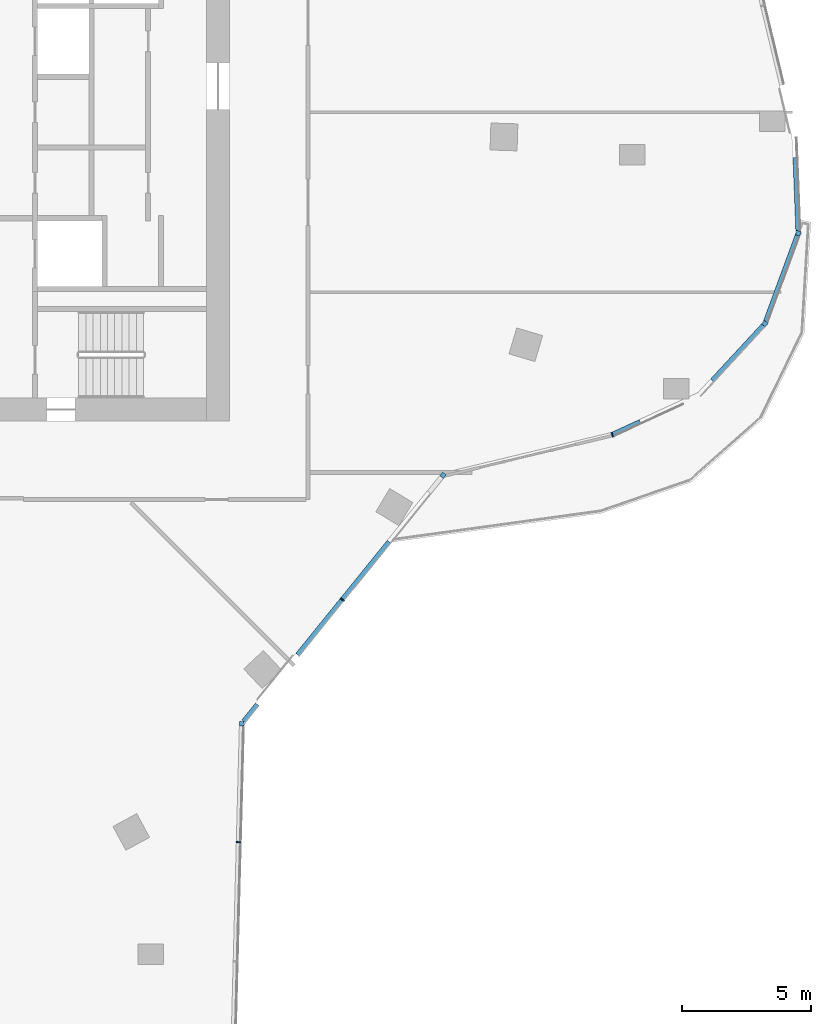
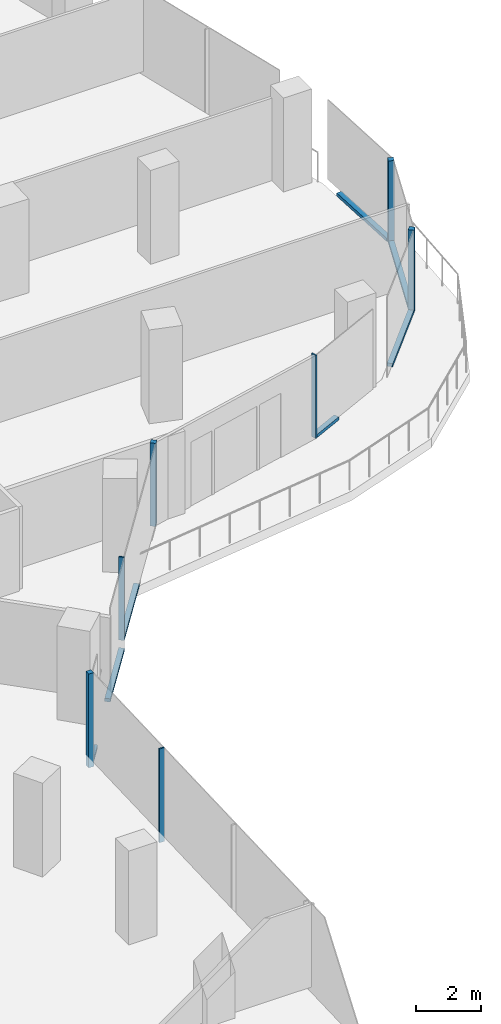
# One storey, part 6 of 24: 14 members, 7 elements without a shape of their own.
"""IFC4 building model written with IfcOpenShell, lengths in metres."""

from ifc_helpers import new_model, si_unit, direction, frame, origin, origin_2d, place, context, subcontext, project, spatial, rectangle, extrude, material, material_profile, profile_set, type_object, element, aggregate, save


model = new_model("IFC4")

# Units and contexts
model_context = context("Model", 3, precision=1e-05, world=origin(), true_north=direction((0.0, 1.0)))
body_context = subcontext(model_context, "Body", "Model", "MODEL_VIEW")
ifc_project = project(units=[si_unit("LENGTHUNIT", "METRE"), si_unit("AREAUNIT", "SQUARE_METRE"), si_unit("VOLUMEUNIT", "CUBIC_METRE"), si_unit("PLANEANGLEUNIT", "RADIAN"), si_unit("MASSUNIT", "GRAM", prefix="KILO")], contexts=[model_context])

# Site, building, storey
site_placement = place(None, origin())
site = spatial("IfcSite", under=ifc_project, at=site_placement, CompositionType="ELEMENT")
building_placement = place(site_placement, origin())
building = spatial("IfcBuilding", under=site, at=building_placement, Name="Orlundy Tower", CompositionType="ELEMENT")
storey_placement = place(building_placement, frame((0.0, 0.0, 210.5)))
storey = spatial("IfcBuildingStorey", under=building, at=storey_placement, Name="L55", CompositionType="ELEMENT", Elevation=210.5)

# Curtain wall, member
ifc_material_1 = material(Name="Aluminium bronze anodised", Category="aluminium")
curtain_wall_type = type_object("IfcCurtainWallType", Name="CW1 wall", PredefinedType="NOTDEFINED", material=ifc_material_1)
curtain_wall_1_placement = place(storey_placement, origin())
curtain_wall_1 = element("IfcCurtainWall", 1, at=curtain_wall_1_placement, inside=storey, type_object=curtain_wall_type, Name="CW1 run 013", PredefinedType="NOTDEFINED")
ifc_material_2 = material(Name="Aluminium bronze anodised", Category="aluminium")
ifc_material_profile_1 = material_profile(ifc_material_2, rectangle(XDim=0.179931640625, YDim=0.179931640625, at=origin_2d()), Name="CW1 corner post 180x180")
ifc_profile_set_1 = profile_set([ifc_material_profile_1], Name="Aluminium bronze anodised")
member_type_1 = type_object("IfcMemberType", Name="CW1 corner post 180x180", PredefinedType="MULLION", material=ifc_profile_set_1)
member_1_placement = place(storey_placement, frame((41.095703125, -4.707275390625, 0.0), z_axis=(0.0, 0.0, 1.0), x_axis=(0.938167941859, -0.346180462863, 0.0)))
member_1 = element("IfcMember", 2, at=member_1_placement, type_object=member_type_1, Name="CW1 mullion 37", PredefinedType="MULLION", context=body_context, shape_type="SweptSolid", body=[
    extrude(rectangle(XDim=0.179931640625, YDim=0.179931640625, at=origin_2d()), origin(), (0.0, 0.0, 1.0), 3.10009765625),
])

curtain_wall_2_placement = place(storey_placement, origin())
curtain_wall_2 = element("IfcCurtainWall", 3, at=curtain_wall_2_placement, inside=storey, type_object=curtain_wall_type, Name="CW1 run 014", PredefinedType="NOTDEFINED")
member_2_placement = place(storey_placement, frame((39.80029296875, -8.218017578125, 0.0), z_axis=(0.0, 0.0, 1.0), x_axis=(0.734348182738, -0.678772971258, 0.0)))
member_2 = element("IfcMember", 4, at=member_2_placement, type_object=member_type_1, Name="CW1 mullion 38", PredefinedType="MULLION", context=body_context, shape_type="SweptSolid", body=[
    extrude(rectangle(XDim=0.179931640625, YDim=0.179931640625, at=origin_2d()), origin(), (0.0, 0.0, 1.0), 3.10009765625),
])

curtain_wall_3_placement = place(storey_placement, origin())
curtain_wall_3 = element("IfcCurtainWall", 5, at=curtain_wall_3_placement, inside=storey, type_object=curtain_wall_type, Name="CW1 run 017", PredefinedType="NOTDEFINED")
member_3_placement = place(storey_placement, frame((27.293701171875, -14.1083984375, 0.0), z_axis=(0.0, 0.0, 1.0), x_axis=(0.777119891969, -0.629352582823, 0.0)))
member_3 = element("IfcMember", 6, at=member_3_placement, type_object=member_type_1, Name="CW1 mullion 41", PredefinedType="MULLION", context=body_context, shape_type="SweptSolid", body=[
    extrude(rectangle(XDim=0.179931640625, YDim=0.179931640625, at=origin_2d()), origin(), (0.0, 0.0, 1.0), 3.10009765625),
])

curtain_wall_4_placement = place(storey_placement, origin())
curtain_wall_4 = element("IfcCurtainWall", 7, at=curtain_wall_4_placement, inside=storey, type_object=curtain_wall_type, Name="CW1 run 018", PredefinedType="NOTDEFINED")
member_4_placement = place(storey_placement, frame((19.47412109375, -23.763916015625, -0.39990234375), z_axis=(0.0, 0.0, 1.0), x_axis=(0.999657620616, -0.026165655813, 0.0)))
member_4 = element("IfcMember", 8, at=member_4_placement, type_object=member_type_1, Name="CW1 mullion 43", PredefinedType="MULLION", context=body_context, shape_type="SweptSolid", body=[
    extrude(rectangle(XDim=0.179931640625, YDim=0.179931640625, at=origin_2d()), origin(), (0.0, 0.0, 1.0), 3.5),
])

curtain_wall_5_placement = place(storey_placement, origin())
curtain_wall_5 = element("IfcCurtainWall", 9, at=curtain_wall_5_placement, inside=storey, type_object=curtain_wall_type, Name="CW1 run 016", PredefinedType="NOTDEFINED")
ifc_material_3 = material(Name="Aluminium bronze anodised", Category="aluminium")
ifc_material_profile_2 = material_profile(ifc_material_3, rectangle(XDim=0.179931640625, YDim=0.050048828125, at=origin_2d()), Name="CW1 mullion 50x180")
ifc_profile_set_2 = profile_set([ifc_material_profile_2], Name="Aluminium bronze anodised")
member_type_2 = type_object("IfcMemberType", Name="CW1 mullion 50x180", PredefinedType="MULLION", material=ifc_profile_set_2)
member_5_placement = place(storey_placement, frame((33.86962890625, -12.529541015625, 0.0), z_axis=(0.0, 0.0, 1.0), x_axis=(0.327673002803, -0.944791195574, 0.0)))
member_5 = element("IfcMember", 10, at=member_5_placement, type_object=member_type_2, Name="CW1 mullion 40", PredefinedType="MULLION", context=body_context, shape_type="SweptSolid", body=[
    extrude(rectangle(XDim=0.179931640625, YDim=0.050048828125, at=origin_2d()), origin(), (0.0, 0.0, 1.0), 3.10009765625),
])
aggregate(curtain_wall_5, [member_5])

# Member
member_6_placement = place(storey_placement, frame((23.384033203125, -18.93603515625, 0.0), z_axis=(0.0, 0.0, 1.0), x_axis=(0.777119891969, -0.629352582823, 0.0)))
member_6 = element("IfcMember", 11, at=member_6_placement, type_object=member_type_2, Name="CW1 mullion 42", PredefinedType="MULLION", context=body_context, shape_type="SweptSolid", body=[
    extrude(rectangle(XDim=0.179931640625, YDim=0.050048828125, at=origin_2d()), origin(), (0.0, 0.0, 1.0), 3.10009765625),
])

member_7_placement = place(storey_placement, frame((19.353759765625, -28.362548828125, -0.39990234375), z_axis=(0.0, 0.0, 1.0), x_axis=(0.999657620616, -0.026165655813, 0.0)))
member_7 = element("IfcMember", 12, at=member_7_placement, type_object=member_type_2, Name="CW1 mullion 44", PredefinedType="MULLION", context=body_context, shape_type="SweptSolid", body=[
    extrude(rectangle(XDim=0.179931640625, YDim=0.050048828125, at=origin_2d()), origin(), (0.0, 0.0, 1.0), 3.5),
])

aggregate(curtain_wall_4, [member_4, member_7])

# Curtain wall, member
curtain_wall_6_placement = place(storey_placement, origin())
curtain_wall_6 = element("IfcCurtainWall", 13, at=curtain_wall_6_placement, inside=storey, type_object=curtain_wall_type, Name="CW1 run 012", PredefinedType="NOTDEFINED")
ifc_material_4 = material(Name="Aluminium bronze anodised", Category="aluminium")
ifc_material_profile_3 = material_profile(ifc_material_4, rectangle(XDim=0.179931640625, YDim=0.1201171875, at=origin_2d()), Name="CW1 transom 180x120")
ifc_profile_set_3 = profile_set([ifc_material_profile_3], Name="Aluminium bronze anodised")
member_type_3 = type_object("IfcMemberType", Name="CW1 transom 180x120", PredefinedType="USERDEFINED", material=ifc_profile_set_3)
member_8_placement = place(storey_placement, frame((40.97998046875, -1.7529296875, 0.06005859375), z_axis=(0.039105329666, -0.999235094055, 0.0), x_axis=(0.999235094055, 0.039105329666, 0.0)))
member_8 = element("IfcMember", 14, at=member_8_placement, type_object=member_type_3, Name="CW1 transom", ObjectType="TRANSOM", PredefinedType="USERDEFINED", context=body_context, shape_type="SweptSolid", body=[
    extrude(rectangle(XDim=0.179931640625, YDim=0.1201171875, at=origin_2d()), origin(), (0.0, 0.0, 1.0), 2.859375),
])
aggregate(curtain_wall_6, [member_8])

# Member
member_9_placement = place(storey_placement, frame((41.064453125, -4.791748046875, 0.06005859375), z_axis=(-0.346173212569, -0.938170617159, 0.0), x_axis=(0.938170617159, -0.346173212569, 0.0)))
member_9 = element("IfcMember", 15, at=member_9_placement, type_object=member_type_3, Name="CW1 transom", ObjectType="TRANSOM", PredefinedType="USERDEFINED", context=body_context, shape_type="SweptSolid", body=[
    extrude(rectangle(XDim=0.179931640625, YDim=0.1201171875, at=origin_2d()), origin(), (0.0, 0.0, 1.0), 3.554443359375),
])

aggregate(curtain_wall_1, [member_1, member_9])

member_10_placement = place(storey_placement, frame((39.7392578125, -8.283935546875, 0.06005859375), z_axis=(-0.678790636339, -0.734331854149, 0.0), x_axis=(0.734331854149, -0.678790636339, 0.0)))
member_10 = element("IfcMember", 16, at=member_10_placement, type_object=member_type_3, Name="CW1 transom", ObjectType="TRANSOM", PredefinedType="USERDEFINED", context=body_context, shape_type="SweptSolid", body=[
    extrude(rectangle(XDim=0.179931640625, YDim=0.1201171875, at=origin_2d()), origin(), (0.0, 0.0, 1.0), 2.918701171875),
])

aggregate(curtain_wall_2, [member_2, member_10])

# Curtain wall, member
curtain_wall_7_placement = place(storey_placement, origin())
curtain_wall_7 = element("IfcCurtainWall", 17, at=curtain_wall_7_placement, inside=storey, type_object=curtain_wall_type, Name="CW1 run 015", PredefinedType="NOTDEFINED")
member_11_placement = place(storey_placement, frame((34.951904296875, -12.030517578125, 0.06005859375), z_axis=(-0.908124668651, -0.41869987603, 0.0), x_axis=(0.41869987603, -0.908124668651, 0.0)))
member_11 = element("IfcMember", 18, at=member_11_placement, type_object=member_type_3, Name="CW1 transom", ObjectType="TRANSOM", PredefinedType="USERDEFINED", context=body_context, shape_type="SweptSolid", body=[
    extrude(rectangle(XDim=0.179931640625, YDim=0.1201171875, at=origin_2d()), origin(), (0.0, 0.0, 1.0), 1.166748046875),
])
aggregate(curtain_wall_7, [member_11])

# Member
member_12_placement = place(storey_placement, frame((25.196533203125, -16.697998046875, 0.06005859375), z_axis=(-0.629355648383, -0.777117409307, 0.0), x_axis=(0.777117409307, -0.629355648383, 0.0)))
member_12 = element("IfcMember", 19, at=member_12_placement, type_object=member_type_3, Name="CW1 transom", ObjectType="TRANSOM", PredefinedType="USERDEFINED", context=body_context, shape_type="SweptSolid", body=[
    extrude(rectangle(XDim=0.179931640625, YDim=0.1201171875, at=origin_2d()), origin(), (0.0, 0.0, 1.0), 2.855224609375),
])

member_13_placement = place(storey_placement, frame((23.3681640625, -18.95556640625, -0.340087890625), z_axis=(-0.629367396249, -0.777107895043, 0.0), x_axis=(0.777107895043, -0.629367396249, 0.0)))
member_13 = element("IfcMember", 20, at=member_13_placement, type_object=member_type_3, Name="CW1 transom", ObjectType="TRANSOM", PredefinedType="USERDEFINED", context=body_context, shape_type="SweptSolid", body=[
    extrude(rectangle(XDim=0.179931640625, YDim=0.1201171875, at=origin_2d()), origin(), (0.0, 0.0, 1.0), 2.73974609375),
])

member_14_placement = place(storey_placement, frame((20.083984375, -23.010986328125, -0.340087890625), z_axis=(-0.629313164831, -0.777151813078, 0.0), x_axis=(0.777151813078, -0.629313164831, 0.0)))
member_14 = element("IfcMember", 21, at=member_14_placement, type_object=member_type_3, Name="CW1 transom", ObjectType="TRANSOM", PredefinedType="USERDEFINED", context=body_context, shape_type="SweptSolid", body=[
    extrude(rectangle(XDim=0.179931640625, YDim=0.1201171875, at=origin_2d()), origin(), (0.0, 0.0, 1.0), 0.85546875),
])

aggregate(curtain_wall_3, [member_3, member_6, member_12, member_13, member_14])

save(model, "model.ifc")
